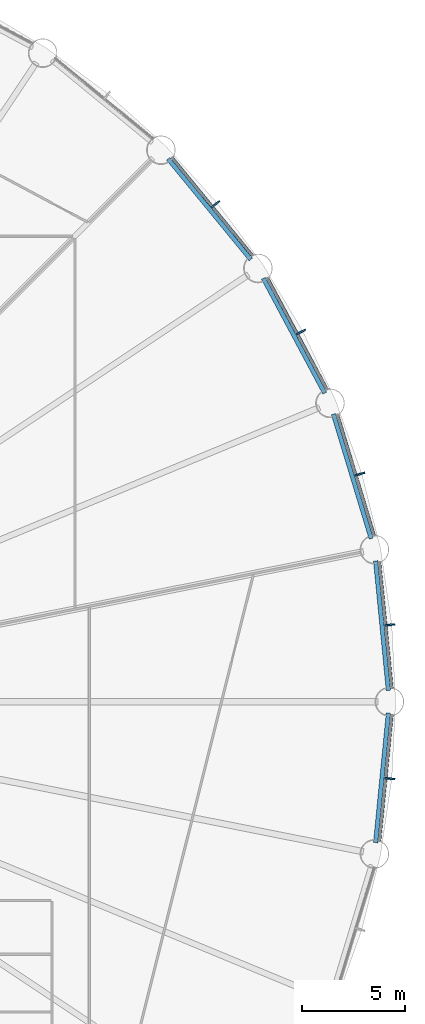
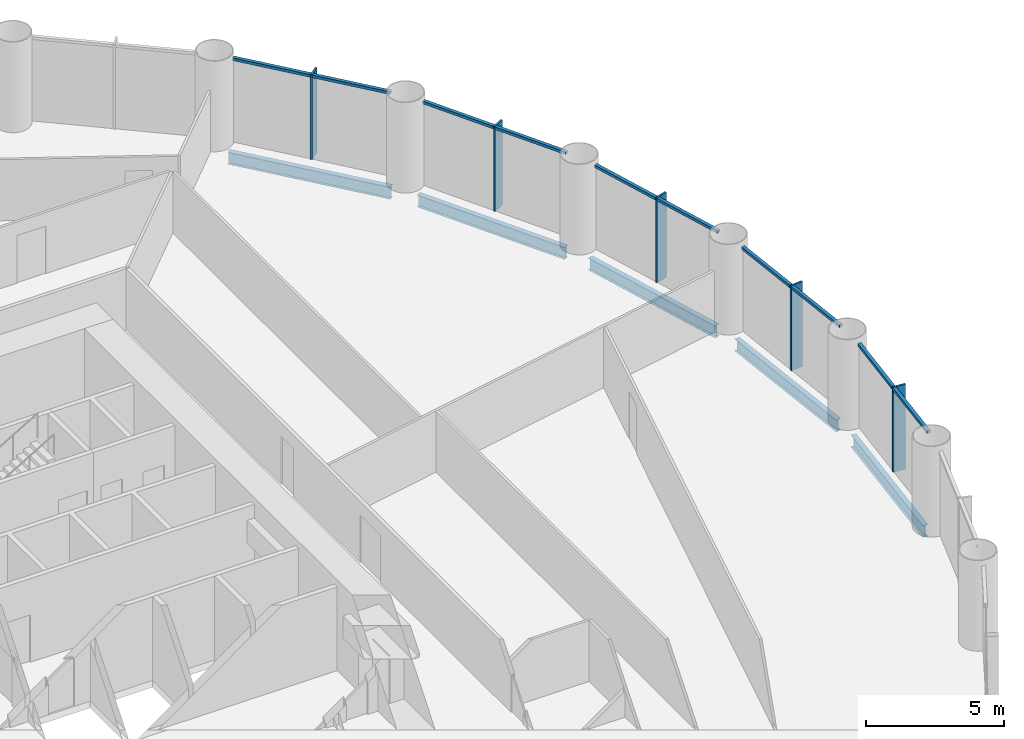
# One storey, part 6 of 15: 15 members, 5 beams, 5 elements without a shape of their own.
"""IFC4 building model written with IfcOpenShell, lengths in metres."""

from ifc_helpers import new_model, si_unit, direction, frame, origin, origin_2d, place, context, subcontext, project, spatial, rectangle, i_section, extrude, material, material_profile, profile_set, type_object, element, aggregate, save


model = new_model("IFC4")

# Units and contexts
model_context = context("Model", 3, precision=1e-05, world=origin(), true_north=direction((0.0, 1.0)))
body_context = subcontext(model_context, "Body", "Model", "MODEL_VIEW")
ifc_project = project(units=[si_unit("LENGTHUNIT", "METRE"), si_unit("AREAUNIT", "SQUARE_METRE"), si_unit("VOLUMEUNIT", "CUBIC_METRE"), si_unit("PLANEANGLEUNIT", "RADIAN"), si_unit("MASSUNIT", "GRAM", prefix="KILO")], contexts=[model_context])

# Site, building, storey
site_placement = place(None, origin())
site = spatial("IfcSite", under=ifc_project, at=site_placement, CompositionType="ELEMENT")
building_placement = place(site_placement, origin())
building = spatial("IfcBuilding", under=site, at=building_placement, Name="Corvane Civic Tower", CompositionType="ELEMENT")
storey_placement = place(building_placement, frame((0.0, 0.0, 73.0)))
storey = spatial("IfcBuildingStorey", under=building, at=storey_placement, Name="L16", CompositionType="ELEMENT", Elevation=73.0)

# Beams
ifc_material_1 = material(Name="Steel ASTM A992 Gr 50", Category="steel")
ifc_material_profile_1 = material_profile(ifc_material_1, i_section(OverallWidth=0.209228515625, OverallDepth=0.533447265625, WebThickness=0.01025390625, FlangeThickness=0.015625, at=origin_2d()), Name="W21X62")
ifc_profile_set_1 = profile_set([ifc_material_profile_1], Name="Steel ASTM A992 Gr 50")
beam_type = type_object("IfcBeamType", Name="EDGE BEAM W21X62", PredefinedType="BEAM", material=ifc_profile_set_1)
beam_placement = place(storey_placement, frame((27.0068359375, 26.23291015625, -0.566650390625), z_axis=(0.634386787141, -0.773015785286, 0.0), x_axis=(0.773015785286, 0.634386787141, 0.0)))
element("IfcBeam", 1, at=beam_placement, inside=storey, type_object=beam_type, Name="BM-L16-E05", PredefinedType="BEAM", context=body_context, shape_type="SweptSolid", body=[
    extrude(i_section(OverallWidth=0.209228515625, OverallDepth=0.533447265625, WebThickness=0.01025390625, FlangeThickness=0.015625, at=origin_2d()), origin(), (0.0, 0.0, 1.0), 6.290771484375),
])
for number, where, z_axis, x_axis, name in (
    (2, (31.605712890625, 20.4599609375, -0.566650390625), (0.471405897311, -0.881916367906, 0.0), (0.881916367906, 0.471405897311, 0.0), "BM-L16-E06"),
    (3, (34.989990234375, 13.90087890625, -0.566650390625), (0.290273452184, -0.956943740748, 0.0), (0.956943740748, 0.290273452184, 0.0), "BM-L16-E07"),
):
    element("IfcBeam", number, at=place(storey_placement, frame(where, z_axis=z_axis, x_axis=x_axis)), inside=storey, type_object=beam_type, Name=name, PredefinedType="BEAM", context=body_context, shape_type="SweptSolid", body=[
        extrude(i_section(OverallWidth=0.209228515625, OverallDepth=0.533447265625, WebThickness=0.01025390625, FlangeThickness=0.015625, at=origin_2d()), origin(), (0.0, 0.0, 1.0), 6.290283203125),
    ])
for number, where, z_axis, x_axis, name in (
    (4, (37.029541015625, 6.8076171875, -0.566650390625), (0.097997284622, -0.995186682089, 0.0), (0.995186682089, 0.097997284622, 0.0), "BM-L16-E08"),
    (5, (37.64599609375, -0.54736328125, -0.566650390625), (-0.097997284622, -0.995186682089, 0.0), (0.995186682089, -0.097997284622, 0.0), "BM-L16-E09"),
):
    element("IfcBeam", number, at=place(storey_placement, frame(where, z_axis=z_axis, x_axis=x_axis)), inside=storey, type_object=beam_type, Name=name, PredefinedType="BEAM", context=body_context, shape_type="SweptSolid", body=[
        extrude(i_section(OverallWidth=0.209228515625, OverallDepth=0.533447265625, WebThickness=0.01025390625, FlangeThickness=0.015625, at=origin_2d()), origin(), (0.0, 0.0, 1.0), 6.29052734375),
    ])

# Curtain wall, members
ifc_material_2 = material(Name="Anodised aluminium bronze", Category="aluminium")
curtain_wall_type = type_object("IfcCurtainWallType", Name="TOWER CW-T1 STICK CURTAIN WALL", PredefinedType="NOTDEFINED", material=ifc_material_2)
curtain_wall_1_placement = place(storey_placement, origin())
curtain_wall_1 = element("IfcCurtainWall", 6, at=curtain_wall_1_placement, inside=storey, type_object=curtain_wall_type, Name="Curtain wall CW-T1 L16 bay 05", PredefinedType="NOTDEFINED")
ifc_material_3 = material(Name="Anodised aluminium bronze", Category="aluminium")
ifc_material_profile_2 = material_profile(ifc_material_3, rectangle(XDim=0.139892578125, YDim=0.1201171875, at=origin_2d()), Name="TOWER CW-T1 TRANSOM 140x120")
ifc_profile_set_2 = profile_set([ifc_material_profile_2], Name="Anodised aluminium bronze")
member_type_1 = type_object("IfcMemberType", Name="TOWER CW-T1 TRANSOM 140x120", PredefinedType="USERDEFINED", material=ifc_profile_set_2)
member_1_placement = place(storey_placement, frame((27.20654296875, 26.271728515625, 3.68994140625), z_axis=(0.634403652865, -0.773001943873, 0.0), x_axis=(0.773001943873, 0.634403652865, 0.0)))
member_1 = element("IfcMember", 7, at=member_1_placement, type_object=member_type_1, Name="Transom CW-T1 L16 05.1", ObjectType="TRANSOM", PredefinedType="USERDEFINED", context=body_context, shape_type="SweptSolid", body=[
    extrude(rectangle(XDim=0.139892578125, YDim=0.1201171875, at=origin_2d()), origin(), (0.0, 0.0, 1.0), 3.008544921875),
])
member_2_placement = place(storey_placement, frame((29.166015625, 23.88427734375, 3.68994140625), z_axis=(0.634355161466, -0.773041738279, 0.0), x_axis=(0.773041738279, 0.634355161466, 0.0)))
member_2 = element("IfcMember", 8, at=member_2_placement, type_object=member_type_1, Name="Transom CW-T1 L16 05.2", ObjectType="TRANSOM", PredefinedType="USERDEFINED", context=body_context, shape_type="SweptSolid", body=[
    extrude(rectangle(XDim=0.139892578125, YDim=0.1201171875, at=origin_2d()), origin(), (0.0, 0.0, 1.0), 3.008544921875),
])

curtain_wall_2_placement = place(storey_placement, origin())
curtain_wall_2 = element("IfcCurtainWall", 9, at=curtain_wall_2_placement, inside=storey, type_object=curtain_wall_type, Name="Curtain wall CW-T1 L16 bay 06", PredefinedType="NOTDEFINED")
member_3_placement = place(storey_placement, frame((31.809326171875, 20.459228515625, 3.68994140625), z_axis=(0.471392506424, -0.881923525532, 0.0), x_axis=(0.881923525532, 0.471392506424, 0.0)))
member_3 = element("IfcMember", 10, at=member_3_placement, type_object=member_type_1, Name="Transom CW-T1 L16 06.1", ObjectType="TRANSOM", PredefinedType="USERDEFINED", context=body_context, shape_type="SweptSolid", body=[
    extrude(rectangle(XDim=0.139892578125, YDim=0.1201171875, at=origin_2d()), origin(), (0.0, 0.0, 1.0), 3.008544921875),
])
member_4_placement = place(storey_placement, frame((33.26513671875, 17.7353515625, 3.68994140625), z_axis=(0.471392506424, -0.881923525532, 0.0), x_axis=(0.881923525532, 0.471392506424, 0.0)))
member_4 = element("IfcMember", 11, at=member_4_placement, type_object=member_type_1, Name="Transom CW-T1 L16 06.2", ObjectType="TRANSOM", PredefinedType="USERDEFINED", context=body_context, shape_type="SweptSolid", body=[
    extrude(rectangle(XDim=0.139892578125, YDim=0.1201171875, at=origin_2d()), origin(), (0.0, 0.0, 1.0), 3.008544921875),
])

curtain_wall_3_placement = place(storey_placement, origin())
curtain_wall_3 = element("IfcCurtainWall", 12, at=curtain_wall_3_placement, inside=storey, type_object=curtain_wall_type, Name="Curtain wall CW-T1 L16 bay 07", PredefinedType="NOTDEFINED")
member_5_placement = place(storey_placement, frame((35.189453125, 13.8603515625, 3.68994140625), z_axis=(0.290279914268, -0.956941780555, 0.0), x_axis=(0.956941780555, 0.290279914268, 0.0)))
member_5 = element("IfcMember", 13, at=member_5_placement, type_object=member_type_1, Name="Transom CW-T1 L16 07.1", ObjectType="TRANSOM", PredefinedType="USERDEFINED", context=body_context, shape_type="SweptSolid", body=[
    extrude(rectangle(XDim=0.139892578125, YDim=0.1201171875, at=origin_2d()), origin(), (0.0, 0.0, 1.0), 3.008544921875),
])
member_6_placement = place(storey_placement, frame((36.0859375, 10.90478515625, 3.68994140625), z_axis=(0.290279914268, -0.956941780555, 0.0), x_axis=(0.956941780555, 0.290279914268, 0.0)))
member_6 = element("IfcMember", 14, at=member_6_placement, type_object=member_type_1, Name="Transom CW-T1 L16 07.2", ObjectType="TRANSOM", PredefinedType="USERDEFINED", context=body_context, shape_type="SweptSolid", body=[
    extrude(rectangle(XDim=0.139892578125, YDim=0.1201171875, at=origin_2d()), origin(), (0.0, 0.0, 1.0), 3.008544921875),
])

curtain_wall_4_placement = place(storey_placement, origin())
curtain_wall_4 = element("IfcCurtainWall", 15, at=curtain_wall_4_placement, inside=storey, type_object=curtain_wall_type, Name="Curtain wall CW-T1 L16 bay 08", PredefinedType="NOTDEFINED")
member_7_placement = place(storey_placement, frame((37.21728515625, 6.72900390625, 3.68994140625), z_axis=(0.097944923917, -0.995191836722, 0.0), x_axis=(0.995191836722, 0.097944923917, 0.0)))
member_7 = element("IfcMember", 16, at=member_7_placement, type_object=member_type_1, Name="Transom CW-T1 L16 08.1", ObjectType="TRANSOM", PredefinedType="USERDEFINED", context=body_context, shape_type="SweptSolid", body=[
    extrude(rectangle(XDim=0.139892578125, YDim=0.1201171875, at=origin_2d()), origin(), (0.0, 0.0, 1.0), 3.008544921875),
])
member_8_placement = place(storey_placement, frame((37.52001953125, 3.6552734375, 3.68994140625), z_axis=(0.097944923917, -0.995191836722, 0.0), x_axis=(0.995191836722, 0.097944923917, 0.0)))
member_8 = element("IfcMember", 17, at=member_8_placement, type_object=member_type_1, Name="Transom CW-T1 L16 08.2", ObjectType="TRANSOM", PredefinedType="USERDEFINED", context=body_context, shape_type="SweptSolid", body=[
    extrude(rectangle(XDim=0.139892578125, YDim=0.1201171875, at=origin_2d()), origin(), (0.0, 0.0, 1.0), 3.008544921875),
])

curtain_wall_5_placement = place(storey_placement, origin())
curtain_wall_5 = element("IfcCurtainWall", 18, at=curtain_wall_5_placement, inside=storey, type_object=curtain_wall_type, Name="Curtain wall CW-T1 L16 bay 09", PredefinedType="NOTDEFINED")
member_9_placement = place(storey_placement, frame((37.814697265625, -0.6611328125, 3.68994140625), z_axis=(-0.097944923917, -0.995191836722, 0.0), x_axis=(0.995191836722, -0.097944923917, 0.0)))
member_9 = element("IfcMember", 19, at=member_9_placement, type_object=member_type_1, Name="Transom CW-T1 L16 09.1", ObjectType="TRANSOM", PredefinedType="USERDEFINED", context=body_context, shape_type="SweptSolid", body=[
    extrude(rectangle(XDim=0.139892578125, YDim=0.1201171875, at=origin_2d()), origin(), (0.0, 0.0, 1.0), 3.008544921875),
])
member_10_placement = place(storey_placement, frame((37.511962890625, -3.73486328125, 3.68994140625), z_axis=(-0.097944923917, -0.995191836722, 0.0), x_axis=(0.995191836722, -0.097944923917, 0.0)))
member_10 = element("IfcMember", 20, at=member_10_placement, type_object=member_type_1, Name="Transom CW-T1 L16 09.2", ObjectType="TRANSOM", PredefinedType="USERDEFINED", context=body_context, shape_type="SweptSolid", body=[
    extrude(rectangle(XDim=0.139892578125, YDim=0.1201171875, at=origin_2d()), origin(), (0.0, 0.0, 1.0), 3.008544921875),
])

# Member
ifc_material_4 = material(Name="Anodised aluminium bronze", Category="aluminium")
ifc_material_profile_3 = material_profile(ifc_material_4, rectangle(XDim=0.080078125, YDim=0.5, at=origin_2d()), Name="TOWER FIN MULLION 80x500 BRONZE")
ifc_profile_set_3 = profile_set([ifc_material_profile_3], Name="Anodised aluminium bronze")
member_type_2 = type_object("IfcMemberType", Name="TOWER FIN MULLION 80x500 BRONZE", PredefinedType="MULLION", material=ifc_profile_set_3)
member_11_placement = place(storey_placement, frame((29.295166015625, 24.0419921875, 0.0), z_axis=(0.0, 0.0, 1.0), x_axis=(0.634397218569, -0.773007224463, 0.0)))
member_11 = element("IfcMember", 21, at=member_11_placement, type_object=member_type_2, Name="Fin mullion 05 L16", PredefinedType="MULLION", context=body_context, shape_type="SweptSolid", body=[
    extrude(rectangle(XDim=0.080078125, YDim=0.5, at=origin_2d()), origin(), (0.0, 0.0, 1.0), 3.75),
])

aggregate(curtain_wall_1, [member_11, member_1, member_2])

member_12_placement = place(storey_placement, frame((33.422607421875, 17.86474609375, 0.0), z_axis=(0.0, 0.0, 1.0), x_axis=(0.471403725359, -0.881917528864, 0.0)))
member_12 = element("IfcMember", 22, at=member_12_placement, type_object=member_type_2, Name="Fin mullion 06 L16", PredefinedType="MULLION", context=body_context, shape_type="SweptSolid", body=[
    extrude(rectangle(XDim=0.080078125, YDim=0.5, at=origin_2d()), origin(), (0.0, 0.0, 1.0), 3.75),
])

aggregate(curtain_wall_2, [member_12, member_3, member_4])

member_13_placement = place(storey_placement, frame((36.265625, 11.001220703125, 0.0), z_axis=(0.0, 0.0, 1.0), x_axis=(0.290278397654, -0.956942240606, 0.0)))
member_13 = element("IfcMember", 23, at=member_13_placement, type_object=member_type_2, Name="Fin mullion 07 L16", PredefinedType="MULLION", context=body_context, shape_type="SweptSolid", body=[
    extrude(rectangle(XDim=0.080078125, YDim=0.5, at=origin_2d()), origin(), (0.0, 0.0, 1.0), 3.75),
])

aggregate(curtain_wall_3, [member_13, member_5, member_6])

member_14_placement = place(storey_placement, frame((37.715087890625, 3.714599609375, 0.0), z_axis=(0.0, 0.0, 1.0), x_axis=(0.098006239521, -0.995185800248, 0.0)))
member_14 = element("IfcMember", 24, at=member_14_placement, type_object=member_type_2, Name="Fin mullion 08 L16", PredefinedType="MULLION", context=body_context, shape_type="SweptSolid", body=[
    extrude(rectangle(XDim=0.080078125, YDim=0.5, at=origin_2d()), origin(), (0.0, 0.0, 1.0), 3.75),
])

aggregate(curtain_wall_4, [member_14, member_7, member_8])

member_15_placement = place(storey_placement, frame((37.715087890625, -3.714599609375, 0.0), z_axis=(0.0, 0.0, 1.0), x_axis=(-0.098006239521, -0.995185800248, 0.0)))
member_15 = element("IfcMember", 25, at=member_15_placement, type_object=member_type_2, Name="Fin mullion 09 L16", PredefinedType="MULLION", context=body_context, shape_type="SweptSolid", body=[
    extrude(rectangle(XDim=0.080078125, YDim=0.5, at=origin_2d()), origin(), (0.0, 0.0, 1.0), 3.75),
])

aggregate(curtain_wall_5, [member_15, member_9, member_10])

save(model, "model.ifc")
